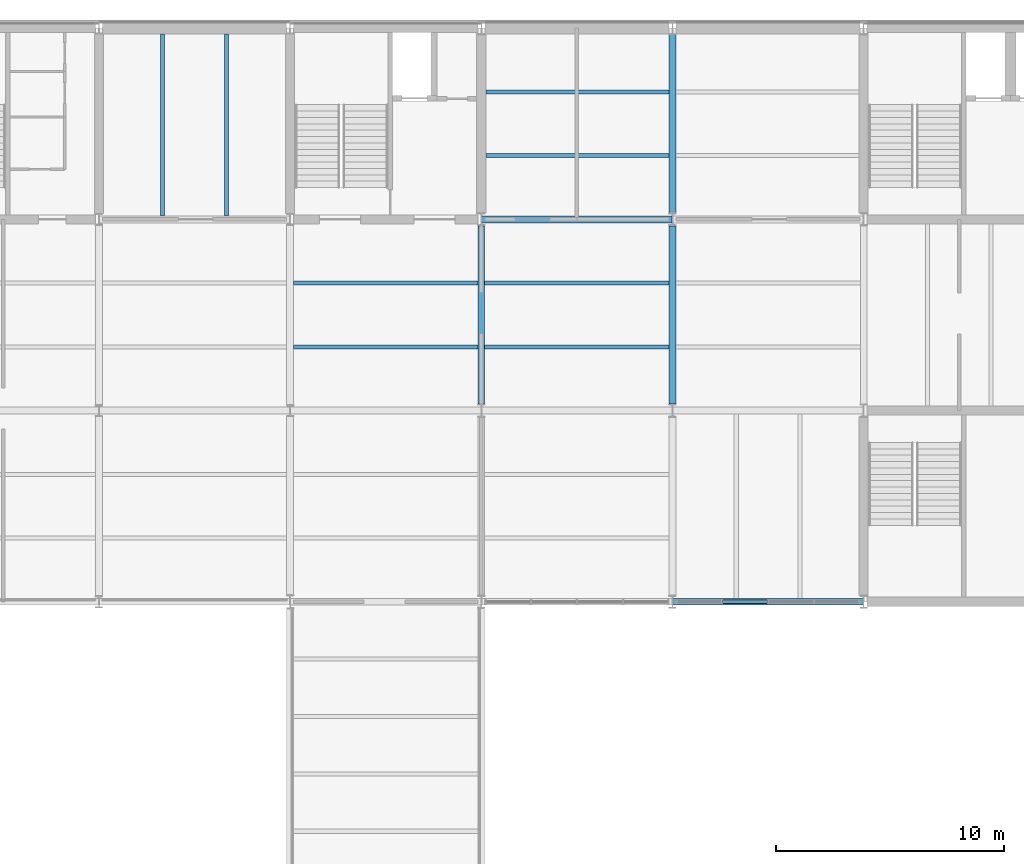
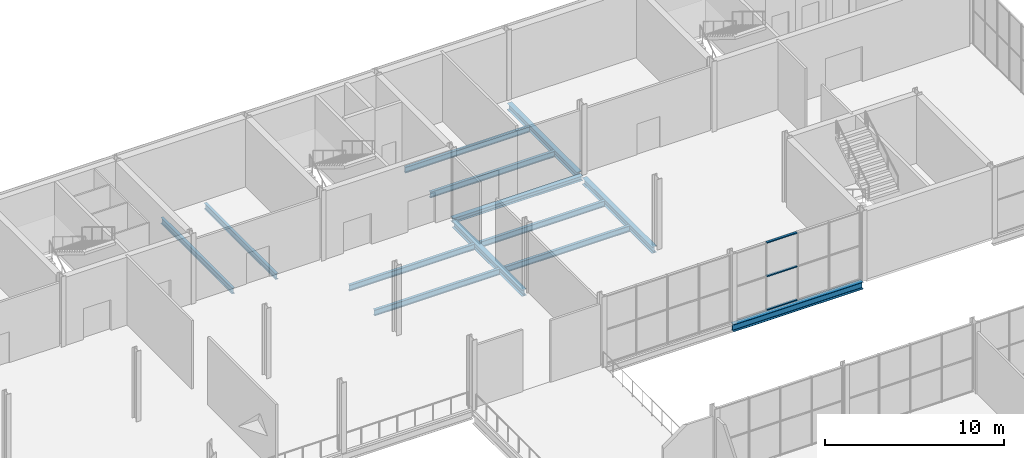
# One storey, part 26 of 61: 13 beams, 3 members, 1 element without a shape of its own.
"""IFC4 building model written with IfcOpenShell, lengths in metres."""

from ifc_helpers import new_model, si_unit, direction, frame, origin, origin_2d, place, context, subcontext, project, spatial, rectangle, i_section, extrude, material, layer, layer_set, material_profile, profile_set, type_object, element, aggregate, save


model = new_model("IFC4")

# Units and contexts
model_context = context("Model", 3, precision=1e-05, world=origin(), true_north=direction((0.0, 1.0)))
body_context = subcontext(model_context, "Body", "Model", "MODEL_VIEW")
ifc_project = project(units=[si_unit("LENGTHUNIT", "METRE"), si_unit("AREAUNIT", "SQUARE_METRE"), si_unit("VOLUMEUNIT", "CUBIC_METRE"), si_unit("PLANEANGLEUNIT", "RADIAN"), si_unit("MASSUNIT", "GRAM", prefix="KILO")], contexts=[model_context])

# Site, building, storey
site_placement = place(None, origin())
site = spatial("IfcSite", under=ifc_project, at=site_placement, CompositionType="ELEMENT")
building_placement = place(site_placement, origin())
building = spatial("IfcBuilding", under=site, at=building_placement, Name="Galleria Vessillo Department Store", CompositionType="ELEMENT")
storey_placement = place(building_placement, frame((0.0, 0.0, 11.39990234375)))
storey = spatial("IfcBuildingStorey", under=building, at=storey_placement, Name="L02", CompositionType="ELEMENT", Elevation=11.39990234375)

# Curtain wall, members
ifc_material_1 = material(Name="Aluminium and glass curtain wall", Category="aluminium")
ifc_layer = layer(ifc_material_1, 0.199951171875)
ifc_layer_set = layer_set([ifc_layer], Name="Aluminium and glass curtain wall")
curtain_wall_type = type_object("IfcCurtainWallType", Name="Arcade curtain wall CW1 2100 module", PredefinedType="NOTDEFINED", material=ifc_layer_set)
curtain_wall_placement = place(storey_placement, origin())
curtain_wall = element("IfcCurtainWall", 1, at=curtain_wall_placement, inside=storey, type_object=curtain_wall_type, Name="Arcade curtain wall CW1 2100 module AI-AE-N-L02-02", PredefinedType="NOTDEFINED")
ifc_material_2 = material(Name="Aluminium alloy 6063 T6", Category="aluminium")
ifc_material_profile_1 = material_profile(ifc_material_2, rectangle(XDim=0.139892578125, YDim=0.070068359375, at=origin_2d()), Name="AL 70x140")
ifc_profile_set_1 = profile_set([ifc_material_profile_1], Name="Aluminium alloy 6063 T6")
member_type = type_object("IfcMemberType", Name="Aluminium transom 70 x 140", PredefinedType="USERDEFINED", material=ifc_profile_set_1)
member_1_placement = place(storey_placement, frame((94.6064453125, 37.800048828125, 0.034912109375), z_axis=(1.0, 0.0, 0.0), x_axis=(0.0, 1.0, 0.0)))
member_1 = element("IfcMember", 2, at=member_1_placement, type_object=member_type, Name="CW1 transom 2.1", ObjectType="TRANSOM", PredefinedType="USERDEFINED", context=body_context, shape_type="SweptSolid", body=[
    extrude(rectangle(XDim=0.139892578125, YDim=0.070068359375, at=origin_2d()), origin(), (0.0, 0.0, 1.0), 1.963623046875),
])
member_2_placement = place(storey_placement, frame((94.6064453125, 37.800048828125, 2.3251953125), z_axis=(1.0, 0.0, 0.0), x_axis=(0.0, 1.0, 0.0)))
member_2 = element("IfcMember", 3, at=member_2_placement, type_object=member_type, Name="CW1 transom 2.2", ObjectType="TRANSOM", PredefinedType="USERDEFINED", context=body_context, shape_type="SweptSolid", body=[
    extrude(rectangle(XDim=0.139892578125, YDim=0.070068359375, at=origin_2d()), origin(), (0.0, 0.0, 1.0), 1.963623046875),
])
member_3_placement = place(storey_placement, frame((94.6064453125, 37.800048828125, 4.615234375), z_axis=(1.0, 0.0, 0.0), x_axis=(0.0, 1.0, 0.0)))
member_3 = element("IfcMember", 4, at=member_3_placement, type_object=member_type, Name="CW1 transom 2.3", ObjectType="TRANSOM", PredefinedType="USERDEFINED", context=body_context, shape_type="SweptSolid", body=[
    extrude(rectangle(XDim=0.139892578125, YDim=0.070068359375, at=origin_2d()), origin(), (0.0, 0.0, 1.0), 1.963623046875),
])
aggregate(curtain_wall, [member_1, member_2, member_3])

# Beams
ifc_material_3 = material(Name="Steel S355 J2", Category="steel")
ifc_material_profile_2 = material_profile(ifc_material_3, i_section(OverallWidth=0.300048828125, OverallDepth=0.43994140625, WebThickness=0.011474609375, FlangeThickness=0.02099609375, FilletRadius=0.027099609375, at=origin_2d()), Name="HEA 450")
ifc_profile_set_2 = profile_set([ifc_material_profile_2], Name="Steel S355 J2")
beam_type_1 = type_object("IfcBeamType", Name="Floor girder HEA 450", PredefinedType="BEAM", material=ifc_profile_set_2)
for number, where, z_axis, x_axis, name in (
    (5, (84.0, 46.486083984375, -0.369873046875), (0.0, 1.0, 0.0), (-1.0, 0.0, 0.0), "S-BM-L02-GI-y84000-46486"),
    (6, (92.39990234375, 46.486083984375, -0.369873046875), (0.0, 1.0, 0.0), (-1.0, 0.0, 0.0), "S-BM-L02-GI-y92400-46486"),
):
    element("IfcBeam", number, at=place(storey_placement, frame(where, z_axis=z_axis, x_axis=x_axis)), inside=storey, type_object=beam_type_1, Name=name, PredefinedType="BEAM", context=body_context, shape_type="SweptSolid", body=[
        extrude(i_section(OverallWidth=0.300048828125, OverallDepth=0.43994140625, WebThickness=0.011474609375, FlangeThickness=0.02099609375, FilletRadius=0.027099609375, at=origin_2d()), origin(), (0.0, 0.0, 1.0), 7.827880859375),
    ])
beam_1_placement = place(storey_placement, frame((92.39990234375, 54.88623046875, -0.369873046875), z_axis=(0.0, 1.0, 0.0), x_axis=(-1.0, 0.0, 0.0)))
element("IfcBeam", 7, at=beam_1_placement, inside=storey, type_object=beam_type_1, Name="S-BM-L02-GI-y92400-54886", PredefinedType="BEAM", context=body_context, shape_type="SweptSolid", body=[
    extrude(i_section(OverallWidth=0.300048828125, OverallDepth=0.43994140625, WebThickness=0.011474609375, FlangeThickness=0.02099609375, FilletRadius=0.027099609375, at=origin_2d()), origin(), (0.0, 0.0, 1.0), 7.82763671875),
])
ifc_material_4 = material(Name="Steel S355 J2", Category="steel")
ifc_material_profile_3 = material_profile(ifc_material_4, i_section(OverallWidth=0.179931640625, OverallDepth=0.39990234375, WebThickness=0.008544921875, FlangeThickness=0.013427734375, FilletRadius=0.02099609375, at=origin_2d()), Name="IPE 400")
ifc_profile_set_3 = profile_set([ifc_material_profile_3], Name="Steel S355 J2")
beam_type_2 = type_object("IfcBeamType", Name="Floor joist IPE 400", PredefinedType="JOIST", material=ifc_profile_set_3)
for number, where, z_axis, x_axis, name in (
    (8, (70.0, 54.750244140625, -0.349853515625), (0.0, 1.0, 0.0), (-1.0, 0.0, 0.0), "S-BM-L02-JO-y70000-54750"),
    (9, (72.800048828125, 54.750244140625, -0.349853515625), (0.0, 1.0, 0.0), (-1.0, 0.0, 0.0), "S-BM-L02-JO-y72800-54750"),
):
    element("IfcBeam", number, at=place(storey_placement, frame(where, z_axis=z_axis, x_axis=x_axis)), inside=storey, type_object=beam_type_2, Name=name, PredefinedType="JOIST", context=body_context, shape_type="SweptSolid", body=[
        extrude(i_section(OverallWidth=0.179931640625, OverallDepth=0.39990234375, WebThickness=0.008544921875, FlangeThickness=0.013427734375, FilletRadius=0.02099609375, at=origin_2d()), origin(), (0.0, 0.0, 1.0), 7.99951171875),
    ])
for number, where, z_axis, x_axis, name in (
    (10, (75.750244140625, 49.0, -0.349853515625), (1.0, 0.0, 0.0), (0.0, 1.0, 0.0), "S-BM-L02-JO-x49000-75750"),
    (11, (75.750244140625, 51.800048828125, -0.349853515625), (1.0, 0.0, 0.0), (0.0, 1.0, 0.0), "S-BM-L02-JO-x51800-75750"),
    (12, (84.150146484375, 49.0, -0.349853515625), (1.0, 0.0, 0.0), (0.0, 1.0, 0.0), "S-BM-L02-JO-x49000-84150"),
    (13, (84.150146484375, 51.800048828125, -0.349853515625), (1.0, 0.0, 0.0), (0.0, 1.0, 0.0), "S-BM-L02-JO-x51800-84150"),
):
    element("IfcBeam", number, at=place(storey_placement, frame(where, z_axis=z_axis, x_axis=x_axis)), inside=storey, type_object=beam_type_2, Name=name, PredefinedType="JOIST", context=body_context, shape_type="SweptSolid", body=[
        extrude(i_section(OverallWidth=0.179931640625, OverallDepth=0.39990234375, WebThickness=0.008544921875, FlangeThickness=0.013427734375, FilletRadius=0.02099609375, at=origin_2d()), origin(), (0.0, 0.0, 1.0), 8.099609375),
    ])
for number, where, z_axis, x_axis, name in (
    (14, (84.2001953125, 57.39990234375, -0.349853515625), (1.0, 0.0, 0.0), (0.0, 1.0, 0.0), "S-BM-L02-JO-x57400-84200"),
    (15, (84.2001953125, 60.199951171875, -0.349853515625), (1.0, 0.0, 0.0), (0.0, 1.0, 0.0), "S-BM-L02-JO-x60200-84200"),
):
    element("IfcBeam", number, at=place(storey_placement, frame(where, z_axis=z_axis, x_axis=x_axis)), inside=storey, type_object=beam_type_2, Name=name, PredefinedType="JOIST", context=body_context, shape_type="SweptSolid", body=[
        extrude(i_section(OverallWidth=0.179931640625, OverallDepth=0.39990234375, WebThickness=0.008544921875, FlangeThickness=0.013427734375, FilletRadius=0.02099609375, at=origin_2d()), origin(), (0.0, 0.0, 1.0), 8.049560546875),
    ])
ifc_material_5 = material(Name="Steel S355 J2", Category="steel")
ifc_material_profile_4 = material_profile(ifc_material_5, i_section(OverallWidth=0.300048828125, OverallDepth=0.330078125, WebThickness=0.009521484375, FlangeThickness=0.0166015625, FilletRadius=0.027099609375, at=origin_2d()), Name="HEA 340")
ifc_profile_set_4 = profile_set([ifc_material_profile_4], Name="Steel S355 J2")
beam_type_3 = type_object("IfcBeamType", Name="Floor tie girder HEA 340", PredefinedType="BEAM", material=ifc_profile_set_4)
beam_2_placement = place(storey_placement, frame((84.0107421875, 54.60009765625, -0.31494140625), z_axis=(1.0, 0.0, 0.0), x_axis=(0.0, 1.0, 0.0)))
element("IfcBeam", 16, at=beam_2_placement, inside=storey, type_object=beam_type_3, Name="S-BM-L02-TI-x54600-84011", PredefinedType="BEAM", context=body_context, shape_type="SweptSolid", body=[
    extrude(i_section(OverallWidth=0.300048828125, OverallDepth=0.330078125, WebThickness=0.009521484375, FlangeThickness=0.0166015625, FilletRadius=0.027099609375, at=origin_2d()), origin(), (0.0, 0.0, 1.0), 8.378662109375),
])
ifc_material_6 = material(Name="Steel S355 J2", Category="steel")
ifc_material_profile_5 = material_profile(ifc_material_6, i_section(OverallWidth=0.300048828125, OverallDepth=0.489990234375, WebThickness=0.011962890625, FlangeThickness=0.02294921875, FilletRadius=0.027099609375, at=origin_2d()), Name="HEA 500")
ifc_profile_set_5 = profile_set([ifc_material_profile_5], Name="Steel S355 J2")
beam_type_4 = type_object("IfcBeamType", Name="Trimmer beam HEA 500", PredefinedType="BEAM", material=ifc_profile_set_5)
beam_3_placement = place(storey_placement, frame((92.41064453125, 37.800048828125, -0.39501953125), z_axis=(1.0, 0.0, 0.0), x_axis=(0.0, 1.0, 0.0)))
element("IfcBeam", 17, at=beam_3_placement, inside=storey, type_object=beam_type_4, Name="S-BM-L02-TR-x37800-92411", PredefinedType="BEAM", context=body_context, shape_type="SweptSolid", body=[
    extrude(i_section(OverallWidth=0.300048828125, OverallDepth=0.489990234375, WebThickness=0.011962890625, FlangeThickness=0.02294921875, FilletRadius=0.027099609375, at=origin_2d()), origin(), (0.0, 0.0, 1.0), 8.378662109375),
])

save(model, "model.ifc")
